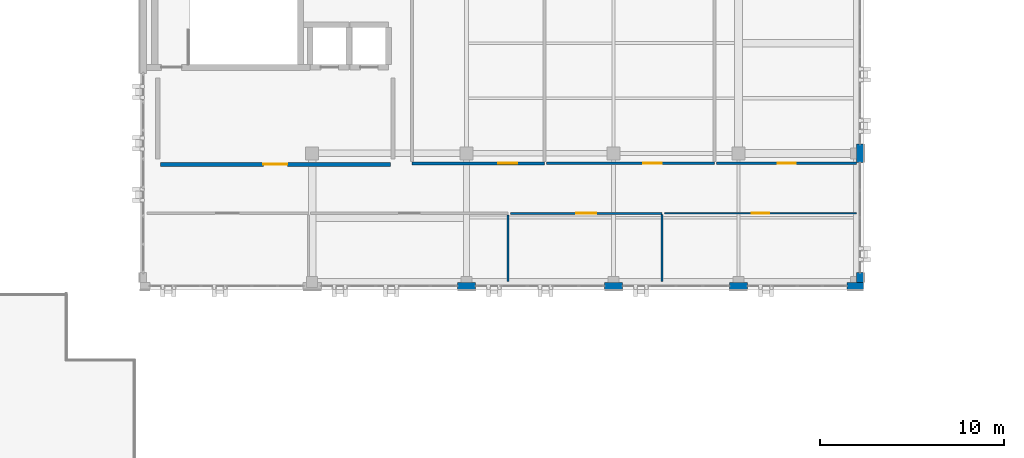
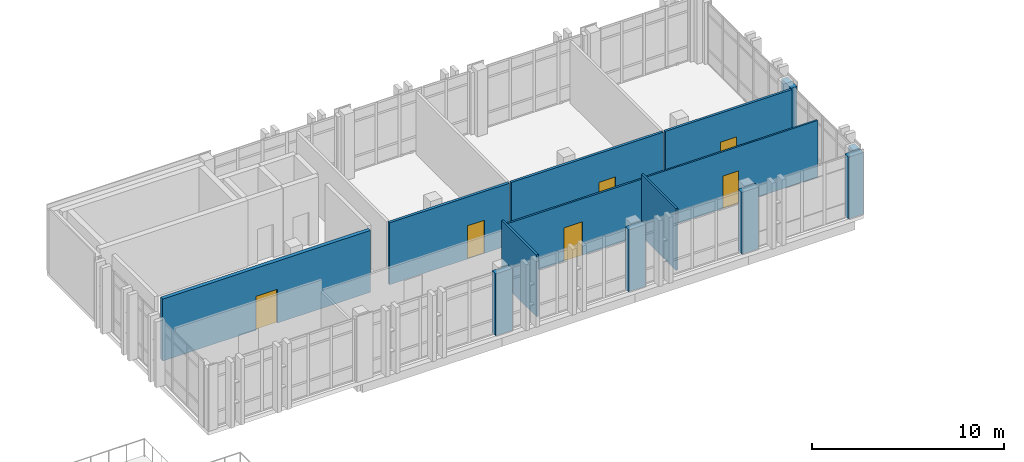
# One storey, part 60 of 77: 14 walls, 6 doors, 6 openings.
"""IFC4 building model written with IfcOpenShell, lengths in metres."""

from ifc_helpers import new_model, si_unit, direction, frame, frame_2d, origin, place, context, subcontext, project, spatial, rectangle, extrude, material, layer, layer_set, type_object, element, fill, save


model = new_model("IFC4")

# Units and contexts
model_context = context("Model", 3, precision=1e-05, world=origin(), true_north=direction((0.0, 1.0)))
body_context = subcontext(model_context, "Body", "Model", "MODEL_VIEW")
ifc_project = project(units=[si_unit("LENGTHUNIT", "METRE"), si_unit("AREAUNIT", "SQUARE_METRE"), si_unit("VOLUMEUNIT", "CUBIC_METRE"), si_unit("PLANEANGLEUNIT", "RADIAN"), si_unit("MASSUNIT", "GRAM", prefix="KILO")], contexts=[model_context])

# Site, building, storey
site_placement = place(None, origin())
site = spatial("IfcSite", under=ifc_project, at=site_placement, CompositionType="ELEMENT")
building_placement = place(site_placement, origin())
building = spatial("IfcBuilding", under=site, at=building_placement, Name="Qalavern Law Courts", CompositionType="ELEMENT")
storey_placement = place(building_placement, frame((0.0, 0.0, 27.0)))
storey = spatial("IfcBuildingStorey", under=building, at=storey_placement, Name="L06", CompositionType="ELEMENT", Elevation=27.0)

# Walls
ifc_material_1 = material(Name="Concrete C40/50", Category="concrete")
ifc_layer_1 = layer(ifc_material_1, 0.3701171875)
ifc_layer_set_1 = layer_set([ifc_layer_1], Name="Concrete C40/50")
wall_type_1 = type_object("IfcWallType", Name="ENV-EW-370", PredefinedType="SOLIDWALL", material=ifc_layer_set_1)
for number, where, z_axis, x_axis, name in (
    (1, (36.300048828125, 96.385009765625, 0.0), (0.0, 0.0, 1.0), (1.0, 0.0, 0.0), "V5 exterior pier wall L06 south 3"),
    (2, (44.300048828125, 96.385009765625, 0.0), (0.0, 0.0, 1.0), (1.0, 0.0, 0.0), "V5 exterior pier wall L06 south 4"),
    (3, (51.10009765625, 96.385009765625, 0.0), (0.0, 0.0, 1.0), (1.0, 0.0, 0.0), "V5 exterior pier wall L06 south 5"),
):
    element("IfcWall", number, at=place(storey_placement, frame(where, z_axis=z_axis, x_axis=x_axis)), inside=storey, type_object=wall_type_1, Name=name, PredefinedType="SOLIDWALL", context=body_context, shape_type="SweptSolid", body=[
        extrude(rectangle(XDim=1.0, YDim=0.3701171875, at=frame_2d((0.5, 0.0))), origin(), (0.0, 0.0, 1.0), 3.93505859375),
    ])
wall_1_placement = place(storey_placement, frame((57.5, 96.385009765625, 0.0), z_axis=(0.0, 0.0, 1.0), x_axis=(1.0, 0.0, 0.0)))
element("IfcWall", 4, at=wall_1_placement, inside=storey, type_object=wall_type_1, Name="V5 exterior pier wall L06 south 6", PredefinedType="SOLIDWALL", context=body_context, shape_type="SweptSolid", body=[
    extrude(rectangle(XDim=0.89990234375, YDim=0.3701171875, at=frame_2d((0.449951171875, 0.0))), origin(), (0.0, 0.0, 1.0), 3.93505859375),
])
wall_2_placement = place(storey_placement, frame((58.215087890625, 96.56494140625, 0.0), z_axis=(0.0, 0.0, 1.0), x_axis=(0.0, 1.0, 0.0)))
element("IfcWall", 5, at=wall_2_placement, inside=storey, type_object=wall_type_1, Name="V5 exterior pier wall L06 east 1", PredefinedType="SOLIDWALL", context=body_context, shape_type="SweptSolid", body=[
    extrude(rectangle(XDim=0.550048828125, YDim=0.3701171875, at=frame_2d((0.27490234375, 0.0))), origin(), (0.0, 0.0, 1.0), 3.93505859375),
])
wall_3_placement = place(storey_placement, frame((58.215087890625, 103.10009765625, 0.0), z_axis=(0.0, 0.0, 1.0), x_axis=(0.0, 1.0, 0.0)))
element("IfcWall", 6, at=wall_3_placement, inside=storey, type_object=wall_type_1, Name="V5 exterior pier wall L06 east 2", PredefinedType="SOLIDWALL", context=body_context, shape_type="SweptSolid", body=[
    extrude(rectangle(XDim=1.0, YDim=0.3701171875, at=frame_2d((0.5, 0.0))), origin(), (0.0, 0.0, 1.0), 3.93505859375),
])

# Wall, opening, door
ifc_layer_2 = layer(ifc_material_1, 0.22509765625)
ifc_layer_set_2 = layer_set([ifc_layer_2], Name="Concrete C40/50")
wall_type_2 = type_object("IfcWallType", Name="INT-FW-225", PredefinedType="PARTITIONING", material=ifc_layer_set_2)
wall_4_placement = place(storey_placement, frame((20.14990234375, 103.0, 0.0), z_axis=(0.0, 0.0, 1.0), x_axis=(1.0, 0.0, 0.0)))
wall_4 = element("IfcWall", 7, at=wall_4_placement, inside=storey, type_object=wall_type_2, Name="Core K3 firefighting/stair lobby fire wall L06", PredefinedType="PARTITIONING", context=body_context, shape_type="SweptSolid", body=[
    extrude(rectangle(XDim=12.5, YDim=0.22509765625, at=frame_2d((6.25, 0.0))), origin(), (0.0, 0.0, 1.0), 3.93505859375),
])
opening_1_placement = place(wall_4_placement, frame((5.60009765625, 0.0, 0.0)))
opening_1 = element("IfcOpeningElement", 8, at=opening_1_placement, cuts=wall_4, Name="Opening L06-D086", PredefinedType="OPENING", context=body_context, shape_type="SweptSolid", body=[
    extrude(rectangle(XDim=1.300048828125, YDim=2.14990234375, at=frame_2d((0.64990234375, 1.074951171875))), frame((0.0, 0.12744140625, 0.0), z_axis=(0.0, -1.0, 0.0), x_axis=(1.0, 0.0, 0.0)), (0.0, 0.0, 1.0), 0.2548828125),
])
ifc_material_2 = material(Name="Steel fire-rated frame and acoustic timber leaves", Category="steel")
door_type_1 = type_object("IfcDoorType", Name="INT-FD-1300x2150", OperationType="DOUBLE_DOOR_SINGLE_SWING", PredefinedType="DOOR", material=ifc_material_2)
door_1_placement = place(opening_1_placement, origin())
door_1 = element("IfcDoor", 9, at=door_1_placement, inside=storey, type_object=door_type_1, Name="Core K3 lobby fire door L06", OperationType="DOUBLE_DOOR_SINGLE_SWING", OverallHeight=2.14990234375, OverallWidth=1.300048828125, PredefinedType="DOOR", context=body_context, shape_type="SweptSolid", body=[
    extrude(rectangle(XDim=1.300048828125, YDim=2.14990234375, at=frame_2d((0.64990234375, 1.074951171875))), frame((0.0, 0.02490234375, 0.0), z_axis=(0.0, -1.0, 0.0), x_axis=(1.0, 0.0, 0.0)), (0.0, 0.0, 1.0), 0.050048828125),
])
fill(opening_1, door_1)

ifc_material_3 = material(Name="Gypsum sanitary partition")
ifc_layer_3 = layer(ifc_material_3, 0.10205078125)
ifc_layer_set_3 = layer_set([ifc_layer_3], Name="Gypsum sanitary partition")
wall_type_3 = type_object("IfcWallType", Name="INT-PW-102", PredefinedType="PARTITIONING", material=ifc_layer_set_3)
wall_5_placement = place(storey_placement, frame((47.570068359375, 100.340087890625, 0.0), z_axis=(0.0, 0.0, 1.0), x_axis=(1.0, 0.0, 0.0)))
wall_5 = element("IfcWall", 10, at=wall_5_placement, inside=storey, type_object=wall_type_3, Name="Staff WC corridor partition L06", PredefinedType="PARTITIONING", context=body_context, shape_type="SweptSolid", body=[
    extrude(rectangle(XDim=10.449951171875, YDim=0.10205078125, at=frame_2d((5.22509765625, 0.0))), origin(), (0.0, 0.0, 1.0), 3.614990234375),
])
opening_2_placement = place(wall_5_placement, frame((4.7548828125, 0.0, 0.0)))
opening_2 = element("IfcOpeningElement", 11, at=opening_2_placement, cuts=wall_5, Name="Opening L06-D401", PredefinedType="OPENING", context=body_context, shape_type="SweptSolid", body=[
    extrude(rectangle(XDim=0.93994140625, YDim=2.070068359375, at=frame_2d((0.469970703125, 1.03515625))), frame((0.0, 0.06591796875, 0.0), z_axis=(0.0, -1.0, 0.0), x_axis=(1.0, 0.0, 0.0)), (0.0, 0.0, 1.0), 0.1318359375),
])
ifc_material_4 = material(Name="Accessible WC outward-clear door")
door_type_2 = type_object("IfcDoorType", Name="INT-ID-940x2070", OperationType="NOTDEFINED", PredefinedType="DOOR", material=ifc_material_4)
door_2_placement = place(opening_2_placement, frame((0.93994140625, 0.0, 0.0), z_axis=(0.0, 0.0, 1.0), x_axis=(-1.0, 0.0, 0.0)))
door_2 = element("IfcDoor", 12, at=door_2_placement, inside=storey, type_object=door_type_2, Name="Staff WC door L06", OperationType="SINGLE_SWING_RIGHT", OverallHeight=2.070068359375, OverallWidth=0.93994140625, PredefinedType="DOOR", context=body_context, shape_type="SweptSolid", body=[
    extrude(rectangle(XDim=0.93994140625, YDim=2.070068359375, at=frame_2d((0.469970703125, 1.03515625))), frame((0.0, 0.02490234375, 0.0), z_axis=(0.0, -1.0, 0.0), x_axis=(1.0, 0.0, 0.0)), (0.0, 0.0, 1.0), 0.050048828125),
])
fill(opening_2, door_2)

ifc_material_5 = material(Name="Gypsum stud partition")
ifc_layer_4 = layer(ifc_material_5, 0.112060546875)
ifc_layer_set_4 = layer_set([ifc_layer_4], Name="Gypsum stud partition")
wall_type_4 = type_object("IfcWallType", Name="INT-PW-112", PredefinedType="PARTITIONING", material=ifc_layer_set_4)
wall_6_placement = place(storey_placement, frame((39.18310546875, 100.340087890625, 0.0), z_axis=(0.0, 0.0, 1.0), x_axis=(1.0, 0.0, 0.0)))
wall_6 = element("IfcWall", 13, at=wall_6_placement, inside=storey, type_object=wall_type_4, Name="Boardroom Suite corridor partition L06", PredefinedType="PARTITIONING", context=body_context, shape_type="SweptSolid", body=[
    extrude(rectangle(XDim=8.266845703125, YDim=0.112060546875, at=frame_2d((4.13330078125, 0.0))), origin(), (0.0, 0.0, 1.0), 3.5849609375),
])
opening_3_placement = place(wall_6_placement, frame((3.58837890625, 0.0, 0.0)))
opening_3 = element("IfcOpeningElement", 14, at=opening_3_placement, cuts=wall_6, Name="Opening L06-D400", PredefinedType="OPENING", context=body_context, shape_type="SweptSolid", body=[
    extrude(rectangle(XDim=1.090087890625, YDim=2.1298828125, at=frame_2d((0.544921875, 1.06494140625))), frame((0.0, 0.07080078125, 0.0), z_axis=(0.0, -1.0, 0.0), x_axis=(1.0, 0.0, 0.0)), (0.0, 0.0, 1.0), 0.141845703125),
])
ifc_material_6 = material(Name="Solid oak Senior Judges' Chambers door")
door_type_3 = type_object("IfcDoorType", Name="INT-ID-1090x2130", OperationType="NOTDEFINED", PredefinedType="DOOR", material=ifc_material_6)
door_3_placement = place(opening_3_placement, frame((1.090087890625, 0.0, 0.0), z_axis=(0.0, 0.0, 1.0), x_axis=(-1.0, 0.0, 0.0)))
door_3 = element("IfcDoor", 15, at=door_3_placement, inside=storey, type_object=door_type_3, Name="Boardroom Suite door L06", OperationType="SINGLE_SWING_LEFT", OverallHeight=2.1298828125, OverallWidth=1.090087890625, PredefinedType="DOOR", context=body_context, shape_type="SweptSolid", body=[
    extrude(rectangle(XDim=1.090087890625, YDim=2.1298828125, at=frame_2d((0.544921875, 1.06494140625))), frame((0.0, 0.02490234375, 0.0), z_axis=(0.0, -1.0, 0.0), x_axis=(1.0, 0.0, 0.0)), (0.0, 0.0, 1.0), 0.050048828125),
])
fill(opening_3, door_3)

# Walls
wall_7_placement = place(storey_placement, frame((47.449951171875, 96.639892578125, 0.0), z_axis=(0.0, 0.0, 1.0), x_axis=(0.0, 1.0, 0.0)))
element("IfcWall", 16, at=wall_7_placement, inside=storey, type_object=wall_type_4, Name="Boardroom Suite cross partition L06 east", PredefinedType="PARTITIONING", context=body_context, shape_type="SweptSolid", body=[
    extrude(rectangle(XDim=3.6240234375, YDim=0.112060546875, at=frame_2d((1.81201171875, 0.0))), origin(), (0.0, 0.0, 1.0), 3.93505859375),
])
ifc_layer_5 = layer(ifc_material_5, 0.1220703125)
ifc_layer_set_5 = layer_set([ifc_layer_5], Name="Gypsum stud partition")
wall_type_5 = type_object("IfcWallType", Name="INT-PW-122", PredefinedType="PARTITIONING", material=ifc_layer_set_5)
wall_8_placement = place(storey_placement, frame((39.06298828125, 96.639892578125, 0.0), z_axis=(0.0, 0.0, 1.0), x_axis=(0.0, 1.0, 0.0)))
element("IfcWall", 17, at=wall_8_placement, inside=storey, type_object=wall_type_5, Name="Judicial Clerks' Office cross partition L06 east", PredefinedType="PARTITIONING", context=body_context, shape_type="SweptSolid", body=[
    extrude(rectangle(XDim=3.619140625, YDim=0.1220703125, at=frame_2d((1.8095703125, 0.0))), origin(), (0.0, 0.0, 1.0), 3.93505859375),
])

# Wall, opening, door
ifc_layer_6 = layer(ifc_material_5, 0.14208984375)
ifc_layer_set_6 = layer_set([ifc_layer_6], Name="Gypsum stud partition")
wall_type_6 = type_object("IfcWallType", Name="INT-PW-142", PredefinedType="PARTITIONING", material=ifc_layer_set_6)
wall_9_placement = place(storey_placement, frame((50.412109375, 103.06005859375, 0.0), z_axis=(0.0, 0.0, 1.0), x_axis=(1.0, 0.0, 0.0)))
wall_9 = element("IfcWall", 18, at=wall_9_placement, inside=storey, type_object=wall_type_6, Name="Boardroom Suite corridor partition L06", PredefinedType="PARTITIONING", context=body_context, shape_type="SweptSolid", body=[
    extrude(rectangle(XDim=7.60791015625, YDim=0.14208984375, at=frame_2d((3.803955078125, 0.0))), origin(), (0.0, 0.0, 1.0), 3.93505859375),
])
opening_4_placement = place(wall_9_placement, frame((3.31396484375, 0.0, 0.0)))
opening_4 = element("IfcOpeningElement", 19, at=opening_4_placement, cuts=wall_9, Name="Opening L06-D404", PredefinedType="OPENING", context=body_context, shape_type="SweptSolid", body=[
    extrude(rectangle(XDim=0.97998046875, YDim=2.090087890625, at=frame_2d((0.489990234375, 1.044921875))), frame((0.0, 0.0859375, 0.0), z_axis=(0.0, -1.0, 0.0), x_axis=(1.0, 0.0, 0.0)), (0.0, 0.0, 1.0), 0.171875),
])
ifc_material_7 = material(Name="Timber Legal Research Office door", Category="wood")
door_type_4 = type_object("IfcDoorType", Name="INT-ID-980x2090", OperationType="NOTDEFINED", PredefinedType="DOOR", material=ifc_material_7)
door_4_placement = place(opening_4_placement, origin())
door_4 = element("IfcDoor", 20, at=door_4_placement, inside=storey, type_object=door_type_4, Name="Boardroom Suite door L06", OperationType="SINGLE_SWING_LEFT", OverallHeight=2.090087890625, OverallWidth=0.97998046875, PredefinedType="DOOR", context=body_context, shape_type="SweptSolid", body=[
    extrude(rectangle(XDim=0.97998046875, YDim=2.090087890625, at=frame_2d((0.489990234375, 1.044921875))), frame((0.0, 0.02490234375, 0.0), z_axis=(0.0, -1.0, 0.0), x_axis=(1.0, 0.0, 0.0)), (0.0, 0.0, 1.0), 0.050048828125),
])
fill(opening_4, door_4)

ifc_layer_7 = layer(ifc_material_5, 0.152099609375)
ifc_layer_set_7 = layer_set([ifc_layer_7], Name="Gypsum stud partition")
wall_type_7 = type_object("IfcWallType", Name="INT-PW-152", PredefinedType="PARTITIONING", material=ifc_layer_set_7)
wall_10_placement = place(storey_placement, frame((41.155029296875, 103.06005859375, 0.0), z_axis=(0.0, 0.0, 1.0), x_axis=(1.0, 0.0, 0.0)))
wall_10 = element("IfcWall", 21, at=wall_10_placement, inside=storey, type_object=wall_type_7, Name="Judicial Clerks' Office corridor partition L06", PredefinedType="PARTITIONING", context=body_context, shape_type="SweptSolid", body=[
    extrude(rectangle(XDim=9.136962890625, YDim=0.152099609375, at=frame_2d((4.568359375, 0.0))), origin(), (0.0, 0.0, 1.0), 3.93505859375),
])
opening_5_placement = place(wall_10_placement, frame((5.2685546875, 0.0, 0.0)))
opening_5 = element("IfcOpeningElement", 22, at=opening_5_placement, cuts=wall_10, Name="Opening L06-D403", PredefinedType="OPENING", context=body_context, shape_type="SweptSolid", body=[
    extrude(rectangle(XDim=1.0, YDim=2.10009765625, at=frame_2d((0.5, 1.050048828125))), frame((0.0, 0.0908203125, 0.0), z_axis=(0.0, -1.0, 0.0), x_axis=(1.0, 0.0, 0.0)), (0.0, 0.0, 1.0), 0.181884765625),
])
ifc_material_8 = material(Name="Timber Judicial Clerks' Office door", Category="wood")
door_type_5 = type_object("IfcDoorType", Name="INT-ID-1000x2100", OperationType="NOTDEFINED", PredefinedType="DOOR", material=ifc_material_8)
door_5_placement = place(opening_5_placement, origin())
door_5 = element("IfcDoor", 23, at=door_5_placement, inside=storey, type_object=door_type_5, Name="Judicial Clerks' Office door L06", OperationType="SINGLE_SWING_RIGHT", OverallHeight=2.10009765625, OverallWidth=1.0, PredefinedType="DOOR", context=body_context, shape_type="SweptSolid", body=[
    extrude(rectangle(XDim=1.0, YDim=2.10009765625, at=frame_2d((0.5, 1.050048828125))), frame((0.0, 0.02490234375, 0.0), z_axis=(0.0, -1.0, 0.0), x_axis=(1.0, 0.0, 0.0)), (0.0, 0.0, 1.0), 0.050048828125),
])
fill(opening_5, door_5)

ifc_layer_8 = layer(ifc_material_5, 0.162109375)
ifc_layer_set_8 = layer_set([ifc_layer_8], Name="Gypsum stud partition")
wall_type_8 = type_object("IfcWallType", Name="INT-PW-162", PredefinedType="PARTITIONING", material=ifc_layer_set_8)
wall_11_placement = place(storey_placement, frame((33.840087890625, 103.06005859375, 0.0), z_axis=(0.0, 0.0, 1.0), x_axis=(1.0, 0.0, 0.0)))
wall_11 = element("IfcWall", 24, at=wall_11_placement, inside=storey, type_object=wall_type_8, Name="Presiding Judges' Chambers corridor partition L06", PredefinedType="PARTITIONING", context=body_context, shape_type="SweptSolid", body=[
    extrude(rectangle(XDim=7.19482421875, YDim=0.162109375, at=frame_2d((3.597412109375, 0.0))), origin(), (0.0, 0.0, 1.0), 3.93505859375),
])
opening_6_placement = place(wall_11_placement, frame((4.6826171875, 0.0, 0.0)))
opening_6 = element("IfcOpeningElement", 25, at=opening_6_placement, cuts=wall_11, Name="Opening L06-D402", PredefinedType="OPENING", context=body_context, shape_type="SweptSolid", body=[
    extrude(rectangle(XDim=1.030029296875, YDim=2.110107421875, at=frame_2d((0.51513671875, 1.05517578125))), frame((0.0, 0.095947265625, 0.0), z_axis=(0.0, -1.0, 0.0), x_axis=(1.0, 0.0, 0.0)), (0.0, 0.0, 1.0), 0.19189453125),
])
ifc_material_9 = material(Name="Oak Mediation Suite door")
door_type_6 = type_object("IfcDoorType", Name="INT-ID-1030x2110", OperationType="NOTDEFINED", PredefinedType="DOOR", material=ifc_material_9)
door_6_placement = place(opening_6_placement, origin())
door_6 = element("IfcDoor", 26, at=door_6_placement, inside=storey, type_object=door_type_6, Name="Presiding Judges' Chambers door L06", OperationType="SINGLE_SWING_LEFT", OverallHeight=2.110107421875, OverallWidth=1.030029296875, PredefinedType="DOOR", context=body_context, shape_type="SweptSolid", body=[
    extrude(rectangle(XDim=1.030029296875, YDim=2.110107421875, at=frame_2d((0.51513671875, 1.05517578125))), frame((0.0, 0.02490234375, 0.0), z_axis=(0.0, -1.0, 0.0), x_axis=(1.0, 0.0, 0.0)), (0.0, 0.0, 1.0), 0.050048828125),
])
fill(opening_6, door_6)

save(model, "model.ifc")
